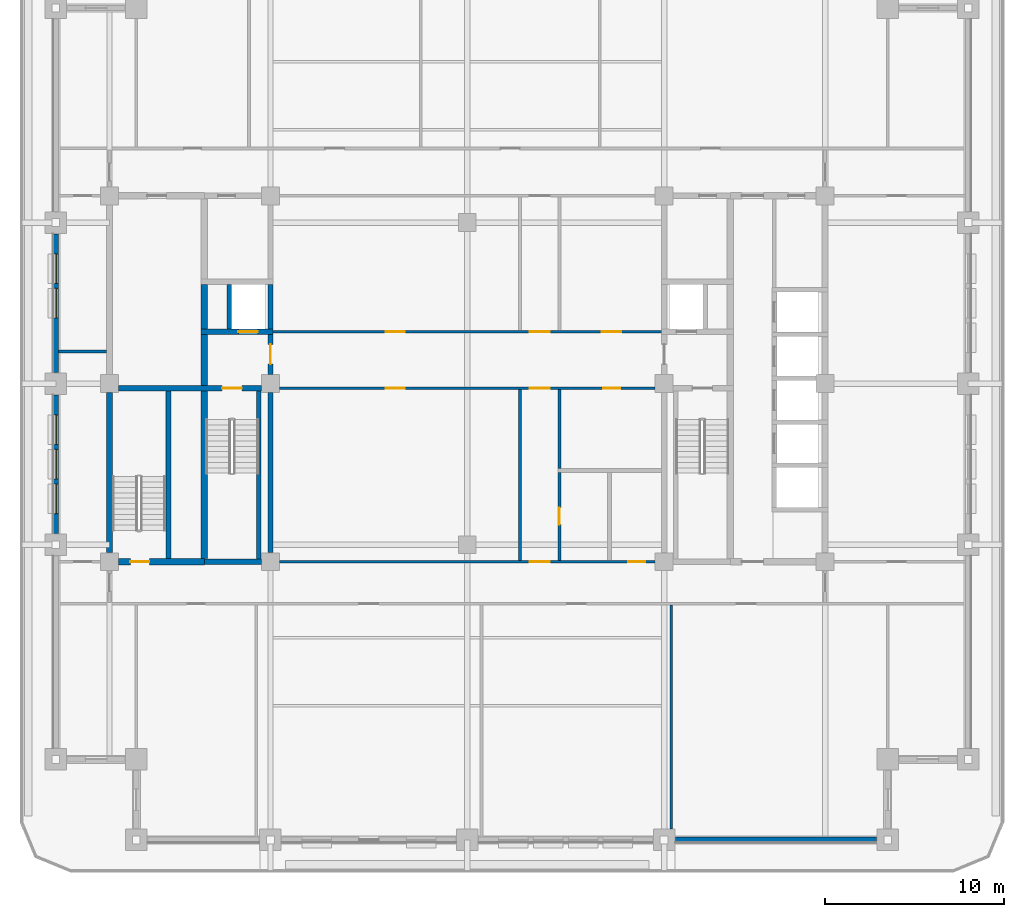
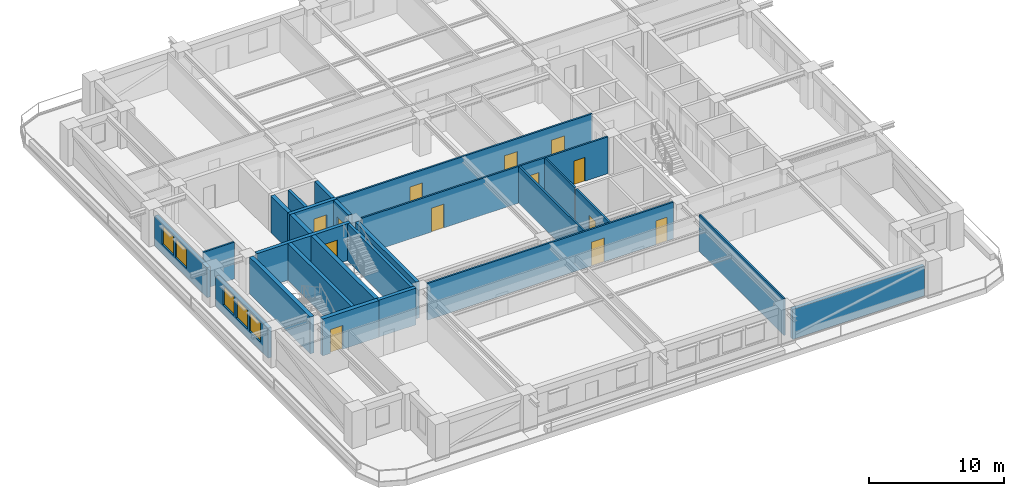
# One storey, part 3 of 13: 25 walls, 13 doors, 5 windows, 18 openings.
"""IFC4 building model written with IfcOpenShell, lengths in metres."""

from ifc_helpers import new_model, si_unit, direction, frame, frame_2d, origin, place, context, subcontext, project, spatial, rectangle, extrude, material, layer, layer_set, type_object, element, fill, save


model = new_model("IFC4")

# Units and contexts
model_context = context("Model", 3, precision=1e-05, world=origin(), true_north=direction((0.0, 1.0)))
body_context = subcontext(model_context, "Body", "Model", "MODEL_VIEW")
ifc_project = project(units=[si_unit("LENGTHUNIT", "METRE"), si_unit("AREAUNIT", "SQUARE_METRE"), si_unit("VOLUMEUNIT", "CUBIC_METRE"), si_unit("PLANEANGLEUNIT", "RADIAN"), si_unit("MASSUNIT", "GRAM", prefix="KILO")], contexts=[model_context])

# Site, building, storey
site_placement = place(None, origin())
site = spatial("IfcSite", under=ifc_project, at=site_placement, CompositionType="ELEMENT")
building_placement = place(site_placement, origin())
building = spatial("IfcBuilding", under=site, at=building_placement, Name="Zulmaris Gate Convention Tower", CompositionType="ELEMENT")
storey_placement = place(building_placement, frame((0.0, 0.0, 105.639892578125)))
storey = spatial("IfcBuildingStorey", under=building, at=storey_placement, Name="L26", CompositionType="ELEMENT", Elevation=105.639892578125)

# Walls
ifc_material_1 = material(Name="Concrete C50/60", Category="concrete")
ifc_layer_1 = layer(ifc_material_1, 0.25, Name="Concrete C50/60")
ifc_layer_set_1 = layer_set([ifc_layer_1], Name="Concrete C50/60")
wall_type_1 = type_object("IfcWallType", Name="CORE-250", PredefinedType="SOLIDWALL", material=ifc_layer_set_1)
wall_1_placement = place(storey_placement, frame((-13.300048828125, 3.052001953125, 0.0), z_axis=(0.0, 0.0, 1.0), x_axis=(0.0, 1.0, 0.0)))
element("IfcWall", 1, at=wall_1_placement, inside=storey, type_object=wall_type_1, Name="WL-L26-040", PredefinedType="SOLIDWALL", context=body_context, shape_type="SweptSolid", body=[
    extrude(rectangle(XDim=2.49609375, YDim=0.25, at=frame_2d((1.248046875, 0.0))), origin(), (0.0, 0.0, 1.0), 3.320068359375),
])
wall_2_placement = place(storey_placement, frame((-11.64990234375, -9.798095703125, 0.0), z_axis=(0.0, 0.0, 1.0), x_axis=(0.0, 1.0, 0.0)))
element("IfcWall", 2, at=wall_2_placement, inside=storey, type_object=wall_type_1, Name="WL-L26-041", PredefinedType="SOLIDWALL", context=body_context, shape_type="SweptSolid", body=[
    extrude(rectangle(XDim=9.39599609375, YDim=0.25, at=frame_2d((4.697998046875, 0.0))), origin(), (0.0, 0.0, 1.0), 3.320068359375),
])
ifc_layer_2 = layer(ifc_material_1, 0.300048828125, Name="Concrete C50/60")
ifc_layer_set_2 = layer_set([ifc_layer_2], Name="Concrete C50/60")
wall_type_2 = type_object("IfcWallType", Name="CORE-300", PredefinedType="SHEAR", material=ifc_layer_set_2)
wall_3_placement = place(storey_placement, frame((-14.699951171875, -9.949951171875, 0.0), z_axis=(0.0, 0.0, 1.0), x_axis=(1.0, 0.0, 0.0)))
element("IfcWall", 3, at=wall_3_placement, inside=storey, type_object=wall_type_2, Name="WL-L26-002", PredefinedType="SHEAR", context=body_context, shape_type="SweptSolid", body=[
    extrude(rectangle(XDim=3.196044921875, YDim=0.300048828125, at=frame_2d((1.59814453125, 0.0))), origin(), (0.0, 0.0, 1.0), 3.320068359375),
])

# Wall, opening, door
wall_4_placement = place(storey_placement, frame((-19.49609375, -0.25, 0.0), z_axis=(0.0, 0.0, 1.0), x_axis=(1.0, 0.0, 0.0)))
wall_4 = element("IfcWall", 4, at=wall_4_placement, inside=storey, type_object=wall_type_2, Name="WL-L26-008", PredefinedType="SHEAR", context=body_context, shape_type="SweptSolid", body=[
    extrude(rectangle(XDim=7.9921875, YDim=0.300048828125, at=frame_2d((3.99609375, 0.0))), origin(), (0.0, 0.0, 1.0), 3.320068359375),
])
opening_1_placement = place(wall_4_placement, frame((5.7958984375, 0.0, 0.0)))
opening_1 = element("IfcOpeningElement", 5, at=opening_1_placement, cuts=wall_4, Name="Opening D-08", PredefinedType="OPENING", context=body_context, shape_type="SweptSolid", body=[
    extrude(rectangle(XDim=1.10009765625, YDim=2.14990234375, at=frame_2d((0.550048828125, 1.074951171875))), frame((0.0, 0.16015625, 0.0), z_axis=(0.0, -1.0, 0.0), x_axis=(1.0, 0.0, 0.0)), (0.0, 0.0, 1.0), 0.320068359375),
])
ifc_material_2 = material(Name="Fire-Rated Steel", Category="steel")
door_type_1 = type_object("IfcDoorType", Name="DR-1100-FD", OperationType="NOTDEFINED", PredefinedType="DOOR", material=ifc_material_2)
door_1_placement = place(opening_1_placement, origin())
door_1 = element("IfcDoor", 6, at=door_1_placement, inside=storey, type_object=door_type_1, Name="L26 Exit Stair ST-1 Door 01", OperationType="SINGLE_SWING_RIGHT", OverallHeight=2.14990234375, OverallWidth=1.10009765625, PredefinedType="DOOR", context=body_context, shape_type="SweptSolid", body=[
    extrude(rectangle(XDim=1.10009765625, YDim=2.14990234375, at=frame_2d((0.550048828125, 1.074951171875))), frame((0.0, 0.02490234375, 0.0), z_axis=(0.0, -1.0, 0.0), x_axis=(1.0, 0.0, 0.0)), (0.0, 0.0, 1.0), 0.050048828125),
])
fill(opening_1, door_1)

wall_5_placement = place(storey_placement, frame((-14.875, 2.89990234375, 0.0), z_axis=(0.0, 0.0, 1.0), x_axis=(1.0, 0.0, 0.0)))
wall_5 = element("IfcWall", 7, at=wall_5_placement, inside=storey, type_object=wall_type_2, Name="WL-L26-012", PredefinedType="SHEAR", context=body_context, shape_type="SweptSolid", body=[
    extrude(rectangle(XDim=4.02490234375, YDim=0.300048828125, at=frame_2d((2.012451171875, 0.0))), origin(), (0.0, 0.0, 1.0), 3.320068359375),
])
opening_2_placement = place(wall_5_placement, frame((2.074951171875, 0.0, 0.0)))
opening_2 = element("IfcOpeningElement", 8, at=opening_2_placement, cuts=wall_5, Name="Opening D-06", PredefinedType="OPENING", context=body_context, shape_type="SweptSolid", body=[
    extrude(rectangle(XDim=1.10009765625, YDim=2.199951171875, at=frame_2d((0.550048828125, 1.10009765625))), frame((0.0, 0.16015625, 0.0), z_axis=(0.0, -1.0, 0.0), x_axis=(1.0, 0.0, 0.0)), (0.0, 0.0, 1.0), 0.320068359375),
])
ifc_material_3 = material(Name="Brushed Stainless Steel", Category="steel")
door_type_2 = type_object("IfcDoorType", Name="LD-1100", OperationType="NOTDEFINED", PredefinedType="DOOR", material=ifc_material_3)
door_2_placement = place(opening_2_placement, origin())
door_2 = element("IfcDoor", 9, at=door_2_placement, inside=storey, type_object=door_type_2, Name="L26 Lift Landing Door LF-01 03", OperationType="SLIDING_TO_LEFT", OverallHeight=2.199951171875, OverallWidth=1.10009765625, PredefinedType="DOOR", context=body_context, shape_type="SweptSolid", body=[
    extrude(rectangle(XDim=1.10009765625, YDim=2.199951171875, at=frame_2d((0.550048828125, 1.10009765625))), frame((0.0, 0.02490234375, 0.0), z_axis=(0.0, -1.0, 0.0), x_axis=(1.0, 0.0, 0.0)), (0.0, 0.0, 1.0), 0.050048828125),
])
fill(opening_2, door_2)

# Walls
wall_6_placement = place(storey_placement, frame((-16.699951171875, -9.77294921875, 0.0), z_axis=(0.0, 0.0, 1.0), x_axis=(0.0, 1.0, 0.0)))
element("IfcWall", 10, at=wall_6_placement, inside=storey, type_object=wall_type_2, Name="WL-L26-035", PredefinedType="SHEAR", context=body_context, shape_type="SweptSolid", body=[
    extrude(rectangle(XDim=9.370849609375, YDim=0.300048828125, at=frame_2d((4.685546875, 0.0))), origin(), (0.0, 0.0, 1.0), 3.320068359375),
])
wall_7_placement = place(storey_placement, frame((-11.0, -9.446044921875, 0.0), z_axis=(0.0, 0.0, 1.0), x_axis=(0.0, 1.0, 0.0)))
element("IfcWall", 11, at=wall_7_placement, inside=storey, type_object=wall_type_2, Name="WL-L26-042", PredefinedType="SHEAR", context=body_context, shape_type="SweptSolid", body=[
    extrude(rectangle(XDim=8.942138671875, YDim=0.300048828125, at=frame_2d((4.47119140625, 0.0))), origin(), (0.0, 0.0, 1.0), 3.320068359375),
])

# Wall, opening, door
wall_8_placement = place(storey_placement, frame((-11.0, 0.50390625, 0.0), z_axis=(0.0, 0.0, 1.0), x_axis=(0.0, 1.0, 0.0)))
wall_8 = element("IfcWall", 12, at=wall_8_placement, inside=storey, type_object=wall_type_2, Name="WL-L26-043", PredefinedType="SHEAR", context=body_context, shape_type="SweptSolid", body=[
    extrude(rectangle(XDim=2.244140625, YDim=0.300048828125, at=frame_2d((1.1220703125, 0.0))), origin(), (0.0, 0.0, 1.0), 3.320068359375),
])
opening_3_placement = place(wall_8_placement, frame((0.595947265625, 0.0, 0.0)))
opening_3 = element("IfcOpeningElement", 13, at=opening_3_placement, cuts=wall_8, Name="Opening D-08", PredefinedType="OPENING", context=body_context, shape_type="SweptSolid", body=[
    extrude(rectangle(XDim=1.10009765625, YDim=2.14990234375, at=frame_2d((0.550048828125, 1.074951171875))), frame((0.0, 0.16015625, 0.0), z_axis=(0.0, -1.0, 0.0), x_axis=(1.0, 0.0, 0.0)), (0.0, 0.0, 1.0), 0.320068359375),
])
door_3_placement = place(opening_3_placement, origin())
door_3 = element("IfcDoor", 14, at=door_3_placement, inside=storey, type_object=door_type_1, Name="L26 West Firefighting Lobby Door 02", OperationType="SINGLE_SWING_LEFT", OverallHeight=2.14990234375, OverallWidth=1.10009765625, PredefinedType="DOOR", context=body_context, shape_type="SweptSolid", body=[
    extrude(rectangle(XDim=1.10009765625, YDim=2.14990234375, at=frame_2d((0.550048828125, 1.074951171875))), frame((0.0, 0.02490234375, 0.0), z_axis=(0.0, -1.0, 0.0), x_axis=(1.0, 0.0, 0.0)), (0.0, 0.0, 1.0), 0.050048828125),
])
fill(opening_3, door_3)

# Wall
wall_9_placement = place(storey_placement, frame((-11.0, 3.052001953125, 0.0), z_axis=(0.0, 0.0, 1.0), x_axis=(0.0, 1.0, 0.0)))
element("IfcWall", 15, at=wall_9_placement, inside=storey, type_object=wall_type_2, Name="WL-L26-044", PredefinedType="SHEAR", context=body_context, shape_type="SweptSolid", body=[
    extrude(rectangle(XDim=2.49609375, YDim=0.300048828125, at=frame_2d((1.248046875, 0.0))), origin(), (0.0, 0.0, 1.0), 3.320068359375),
])

# Wall, opening, door
ifc_material_4 = material(Name="Concrete C55/67", Category="concrete")
ifc_layer_3 = layer(ifc_material_4, 0.35009765625, Name="Concrete C55/67")
ifc_layer_set_3 = layer_set([ifc_layer_3], Name="Concrete C55/67")
wall_type_3 = type_object("IfcWallType", Name="CORE-350", PredefinedType="SHEAR", material=ifc_layer_set_3)
wall_10_placement = place(storey_placement, frame((-19.49609375, -9.949951171875, 0.0), z_axis=(0.0, 0.0, 1.0), x_axis=(1.0, 0.0, 0.0)))
wall_10 = element("IfcWall", 16, at=wall_10_placement, inside=storey, type_object=wall_type_3, Name="WL-L26-001", PredefinedType="SHEAR", context=body_context, shape_type="SweptSolid", body=[
    extrude(rectangle(XDim=4.796142578125, YDim=0.35009765625, at=frame_2d((2.39794921875, 0.0))), origin(), (0.0, 0.0, 1.0), 3.320068359375),
])
opening_4_placement = place(wall_10_placement, frame((0.6708984375, 0.0, 0.0)))
opening_4 = element("IfcOpeningElement", 17, at=opening_4_placement, cuts=wall_10, Name="Opening D-09", PredefinedType="OPENING", context=body_context, shape_type="SweptSolid", body=[
    extrude(rectangle(XDim=1.050048828125, YDim=2.14990234375, at=frame_2d((0.52490234375, 1.074951171875))), frame((0.0, 0.18505859375, 0.0), z_axis=(0.0, -1.0, 0.0), x_axis=(1.0, 0.0, 0.0)), (0.0, 0.0, 1.0), 0.3701171875),
])
door_type_3 = type_object("IfcDoorType", Name="DR-1050-FD", OperationType="NOTDEFINED", PredefinedType="DOOR", material=ifc_material_2)
door_4_placement = place(opening_4_placement, origin())
door_4 = element("IfcDoor", 18, at=door_4_placement, inside=storey, type_object=door_type_3, Name="L26 Exit Stair ST-3 Door 09", OperationType="SINGLE_SWING_RIGHT", OverallHeight=2.14990234375, OverallWidth=1.050048828125, PredefinedType="DOOR", context=body_context, shape_type="SweptSolid", body=[
    extrude(rectangle(XDim=1.050048828125, YDim=2.14990234375, at=frame_2d((0.52490234375, 1.074951171875))), frame((0.0, 0.02490234375, 0.0), z_axis=(0.0, -1.0, 0.0), x_axis=(1.0, 0.0, 0.0)), (0.0, 0.0, 1.0), 0.050048828125),
])
fill(opening_4, door_4)

# Walls
wall_11_placement = place(storey_placement, frame((-20.0, -9.446044921875, 0.0), z_axis=(0.0, 0.0, 1.0), x_axis=(0.0, 1.0, 0.0)))
element("IfcWall", 19, at=wall_11_placement, inside=storey, type_object=wall_type_3, Name="WL-L26-033", PredefinedType="SHEAR", context=body_context, shape_type="SweptSolid", body=[
    extrude(rectangle(XDim=8.942138671875, YDim=0.35009765625, at=frame_2d((4.47119140625, 0.0))), origin(), (0.0, 0.0, 1.0), 3.320068359375),
])
wall_12_placement = place(storey_placement, frame((-14.699951171875, -9.77294921875, 0.0), z_axis=(0.0, 0.0, 1.0), x_axis=(0.0, 1.0, 0.0)))
element("IfcWall", 20, at=wall_12_placement, inside=storey, type_object=wall_type_3, Name="WL-L26-036", PredefinedType="SHEAR", context=body_context, shape_type="SweptSolid", body=[
    extrude(rectangle(XDim=9.370849609375, YDim=0.35009765625, at=frame_2d((4.685546875, 0.0))), origin(), (0.0, 0.0, 1.0), 3.320068359375),
])
wall_13_placement = place(storey_placement, frame((-14.699951171875, -0.097900390625, 0.0), z_axis=(0.0, 0.0, 1.0), x_axis=(0.0, 1.0, 0.0)))
element("IfcWall", 21, at=wall_13_placement, inside=storey, type_object=wall_type_3, Name="WL-L26-037", PredefinedType="SHEAR", context=body_context, shape_type="SweptSolid", body=[
    extrude(rectangle(XDim=2.845947265625, YDim=0.35009765625, at=frame_2d((1.4228515625, 0.0))), origin(), (0.0, 0.0, 1.0), 3.320068359375),
])
wall_14_placement = place(storey_placement, frame((-14.699951171875, 3.052001953125, 0.0), z_axis=(0.0, 0.0, 1.0), x_axis=(0.0, 1.0, 0.0)))
element("IfcWall", 22, at=wall_14_placement, inside=storey, type_object=wall_type_3, Name="WL-L26-038", PredefinedType="SHEAR", context=body_context, shape_type="SweptSolid", body=[
    extrude(rectangle(XDim=2.49609375, YDim=0.35009765625, at=frame_2d((1.248046875, 0.0))), origin(), (0.0, 0.0, 1.0), 3.320068359375),
])

# Wall, openings, doors
ifc_material_5 = material(Name="Gypsum Metal Stud Partition")
ifc_layer_4 = layer(ifc_material_5, 0.14990234375, Name="Gypsum Metal Stud Partition")
ifc_layer_set_4 = layer_set([ifc_layer_4], Name="Gypsum Metal Stud Partition")
wall_type_4 = type_object("IfcWallType", Name="PART-150", PredefinedType="PARTITIONING", material=ifc_layer_set_4)
wall_15_placement = place(storey_placement, frame((-10.493896484375, -9.949951171875, 0.0), z_axis=(0.0, 0.0, 1.0), x_axis=(1.0, 0.0, 0.0)))
wall_15 = element("IfcWall", 23, at=wall_15_placement, inside=storey, type_object=wall_type_4, Name="WL-L26-023", PredefinedType="PARTITIONING", context=body_context, shape_type="SweptSolid", body=[
    extrude(rectangle(XDim=20.98779296875, YDim=0.14990234375, at=frame_2d((10.493896484375, 0.0))), origin(), (0.0, 0.0, 1.0), 3.320068359375),
])
opening_5_placement = place(wall_15_placement, frame((13.993896484375, 0.0, 0.0)))
opening_5 = element("IfcOpeningElement", 24, at=opening_5_placement, cuts=wall_15, Name="Opening D-08", PredefinedType="OPENING", context=body_context, shape_type="SweptSolid", body=[
    extrude(rectangle(XDim=1.10009765625, YDim=2.14990234375, at=frame_2d((0.550048828125, 1.074951171875))), frame((0.0, 0.0849609375, 0.0), z_axis=(0.0, -1.0, 0.0), x_axis=(1.0, 0.0, 0.0)), (0.0, 0.0, 1.0), 0.169921875),
])
opening_6_placement = place(wall_15_placement, frame((19.489013671875, 0.0, 0.0)))
opening_6 = element("IfcOpeningElement", 25, at=opening_6_placement, cuts=wall_15, Name="Opening D-11", PredefinedType="OPENING", context=body_context, shape_type="SweptSolid", body=[
    extrude(rectangle(XDim=0.949951171875, YDim=2.14990234375, at=frame_2d((0.47509765625, 1.074951171875))), frame((0.0, 0.0849609375, 0.0), z_axis=(0.0, -1.0, 0.0), x_axis=(1.0, 0.0, 0.0)), (0.0, 0.0, 1.0), 0.169921875),
])
door_5_placement = place(opening_5_placement, origin())
door_5 = element("IfcDoor", 26, at=door_5_placement, inside=storey, type_object=door_type_1, Name="L26 South Gallery Link Door 19", OperationType="SINGLE_SWING_RIGHT", OverallHeight=2.14990234375, OverallWidth=1.10009765625, PredefinedType="DOOR", context=body_context, shape_type="SweptSolid", body=[
    extrude(rectangle(XDim=1.10009765625, YDim=2.14990234375, at=frame_2d((0.550048828125, 1.074951171875))), frame((0.0, 0.02490234375, 0.0), z_axis=(0.0, -1.0, 0.0), x_axis=(1.0, 0.0, 0.0)), (0.0, 0.0, 1.0), 0.050048828125),
])
fill(opening_5, door_5)
ifc_material_6 = material(Name="Fire-Rated Timber", Category="wood")
door_type_4 = type_object("IfcDoorType", Name="DR-950-FD", OperationType="NOTDEFINED", PredefinedType="DOOR", material=ifc_material_6)
door_6_placement = place(opening_6_placement, origin())
door_6 = element("IfcDoor", 27, at=door_6_placement, inside=storey, type_object=door_type_4, Name="L26 Vault Store Door 35", OperationType="SINGLE_SWING_RIGHT", OverallHeight=2.14990234375, OverallWidth=0.949951171875, PredefinedType="DOOR", context=body_context, shape_type="SweptSolid", body=[
    extrude(rectangle(XDim=0.949951171875, YDim=2.14990234375, at=frame_2d((0.47509765625, 1.074951171875))), frame((0.0, 0.02490234375, 0.0), z_axis=(0.0, -1.0, 0.0), x_axis=(1.0, 0.0, 0.0)), (0.0, 0.0, 1.0), 0.050048828125),
])
fill(opening_6, door_6)

wall_16_placement = place(storey_placement, frame((-10.493896484375, -0.25, 0.0), z_axis=(0.0, 0.0, 1.0), x_axis=(1.0, 0.0, 0.0)))
wall_16 = element("IfcWall", 28, at=wall_16_placement, inside=storey, type_object=wall_type_4, Name="WL-L26-026", PredefinedType="PARTITIONING", context=body_context, shape_type="SweptSolid", body=[
    extrude(rectangle(XDim=20.98779296875, YDim=0.14990234375, at=frame_2d((10.493896484375, 0.0))), origin(), (0.0, 0.0, 1.0), 3.320068359375),
])
opening_7_placement = place(wall_16_placement, frame((13.993896484375, 0.0, 0.0)))
opening_7 = element("IfcOpeningElement", 29, at=opening_7_placement, cuts=wall_16, Name="Opening D-08", PredefinedType="OPENING", context=body_context, shape_type="SweptSolid", body=[
    extrude(rectangle(XDim=1.10009765625, YDim=2.14990234375, at=frame_2d((0.550048828125, 1.074951171875))), frame((0.0, 0.0849609375, 0.0), z_axis=(0.0, -1.0, 0.0), x_axis=(1.0, 0.0, 0.0)), (0.0, 0.0, 1.0), 0.169921875),
])
opening_8_placement = place(wall_16_placement, frame((5.93896484375, 0.0, 0.0)))
opening_8 = element("IfcOpeningElement", 30, at=opening_8_placement, cuts=wall_16, Name="Opening D-09", PredefinedType="OPENING", context=body_context, shape_type="SweptSolid", body=[
    extrude(rectangle(XDim=1.050048828125, YDim=2.14990234375, at=frame_2d((0.52490234375, 1.074951171875))), frame((0.0, 0.0849609375, 0.0), z_axis=(0.0, -1.0, 0.0), x_axis=(1.0, 0.0, 0.0)), (0.0, 0.0, 1.0), 0.169921875),
])
opening_9_placement = place(wall_16_placement, frame((18.089111328125, 0.0, 0.0)))
opening_9 = element("IfcOpeningElement", 31, at=opening_9_placement, cuts=wall_16, Name="Opening D-11", PredefinedType="OPENING", context=body_context, shape_type="SweptSolid", body=[
    extrude(rectangle(XDim=0.949951171875, YDim=2.14990234375, at=frame_2d((0.47509765625, 1.074951171875))), frame((0.0, 0.0849609375, 0.0), z_axis=(0.0, -1.0, 0.0), x_axis=(1.0, 0.0, 0.0)), (0.0, 0.0, 1.0), 0.169921875),
])
door_7_placement = place(opening_8_placement, origin())
door_7 = element("IfcDoor", 32, at=door_7_placement, inside=storey, type_object=door_type_3, Name="L26 Sky Library Door 32", OperationType="SINGLE_SWING_LEFT", OverallHeight=2.14990234375, OverallWidth=1.050048828125, PredefinedType="DOOR", context=body_context, shape_type="SweptSolid", body=[
    extrude(rectangle(XDim=1.050048828125, YDim=2.14990234375, at=frame_2d((0.52490234375, 1.074951171875))), frame((0.0, 0.02490234375, 0.0), z_axis=(0.0, -1.0, 0.0), x_axis=(1.0, 0.0, 0.0)), (0.0, 0.0, 1.0), 0.050048828125),
])
fill(opening_8, door_7)
door_8_placement = place(opening_7_placement, origin())
door_8 = element("IfcDoor", 33, at=door_8_placement, inside=storey, type_object=door_type_1, Name="L26 Cross Spine South Door 21", OperationType="SINGLE_SWING_RIGHT", OverallHeight=2.14990234375, OverallWidth=1.10009765625, PredefinedType="DOOR", context=body_context, shape_type="SweptSolid", body=[
    extrude(rectangle(XDim=1.10009765625, YDim=2.14990234375, at=frame_2d((0.550048828125, 1.074951171875))), frame((0.0, 0.02490234375, 0.0), z_axis=(0.0, -1.0, 0.0), x_axis=(1.0, 0.0, 0.0)), (0.0, 0.0, 1.0), 0.050048828125),
])
fill(opening_7, door_8)
door_9_placement = place(opening_9_placement, origin())
door_9 = element("IfcDoor", 34, at=door_9_placement, inside=storey, type_object=door_type_4, Name="L26 Public WC Door 33", OperationType="SINGLE_SWING_RIGHT", OverallHeight=2.14990234375, OverallWidth=0.949951171875, PredefinedType="DOOR", context=body_context, shape_type="SweptSolid", body=[
    extrude(rectangle(XDim=0.949951171875, YDim=2.14990234375, at=frame_2d((0.47509765625, 1.074951171875))), frame((0.0, 0.02490234375, 0.0), z_axis=(0.0, -1.0, 0.0), x_axis=(1.0, 0.0, 0.0)), (0.0, 0.0, 1.0), 0.050048828125),
])
fill(opening_9, door_9)

# Wall
wall_17_placement = place(storey_placement, frame((-22.8349609375, 1.800048828125, 0.0), z_axis=(0.0, 0.0, 1.0), x_axis=(1.0, 0.0, 0.0)))
element("IfcWall", 35, at=wall_17_placement, inside=storey, type_object=wall_type_4, Name="WL-L26-027", PredefinedType="PARTITIONING", context=body_context, shape_type="SweptSolid", body=[
    extrude(rectangle(XDim=2.656982421875, YDim=0.14990234375, at=frame_2d((1.32861328125, 0.0))), origin(), (0.0, 0.0, 1.0), 3.320068359375),
])

# Wall, openings, doors
wall_18_placement = place(storey_placement, frame((-11.0, 2.89990234375, 0.0), z_axis=(0.0, 0.0, 1.0), x_axis=(1.0, 0.0, 0.0)))
wall_18 = element("IfcWall", 36, at=wall_18_placement, inside=storey, type_object=wall_type_4, Name="WL-L26-028", PredefinedType="PARTITIONING", context=body_context, shape_type="SweptSolid", body=[
    extrude(rectangle(XDim=22.0, YDim=0.14990234375, at=frame_2d((11.0, 0.0))), origin(), (0.0, 0.0, 1.0), 3.320068359375),
])
opening_10_placement = place(wall_18_placement, frame((14.5, 0.0, 0.0)))
opening_10 = element("IfcOpeningElement", 37, at=opening_10_placement, cuts=wall_18, Name="Opening D-08", PredefinedType="OPENING", context=body_context, shape_type="SweptSolid", body=[
    extrude(rectangle(XDim=1.10009765625, YDim=2.14990234375, at=frame_2d((0.550048828125, 1.074951171875))), frame((0.0, 0.0849609375, 0.0), z_axis=(0.0, -1.0, 0.0), x_axis=(1.0, 0.0, 0.0)), (0.0, 0.0, 1.0), 0.169921875),
])
opening_11_placement = place(wall_18_placement, frame((6.445068359375, 0.0, 0.0)))
opening_11 = element("IfcOpeningElement", 38, at=opening_11_placement, cuts=wall_18, Name="Opening D-09", PredefinedType="OPENING", context=body_context, shape_type="SweptSolid", body=[
    extrude(rectangle(XDim=1.050048828125, YDim=2.14990234375, at=frame_2d((0.52490234375, 1.074951171875))), frame((0.0, 0.0849609375, 0.0), z_axis=(0.0, -1.0, 0.0), x_axis=(1.0, 0.0, 0.0)), (0.0, 0.0, 1.0), 0.169921875),
])
opening_12_placement = place(wall_18_placement, frame((18.52001953125, 0.0, 0.0)))
opening_12 = element("IfcOpeningElement", 39, at=opening_12_placement, cuts=wall_18, Name="Opening D-08", PredefinedType="OPENING", context=body_context, shape_type="SweptSolid", body=[
    extrude(rectangle(XDim=1.10009765625, YDim=2.14990234375, at=frame_2d((0.550048828125, 1.074951171875))), frame((0.0, 0.0849609375, 0.0), z_axis=(0.0, -1.0, 0.0), x_axis=(1.0, 0.0, 0.0)), (0.0, 0.0, 1.0), 0.169921875),
])
door_10_placement = place(opening_11_placement, origin())
door_10 = element("IfcDoor", 40, at=door_10_placement, inside=storey, type_object=door_type_3, Name="L26 Reception Door 30", OperationType="SINGLE_SWING_LEFT", OverallHeight=2.14990234375, OverallWidth=1.050048828125, PredefinedType="DOOR", context=body_context, shape_type="SweptSolid", body=[
    extrude(rectangle(XDim=1.050048828125, YDim=2.14990234375, at=frame_2d((0.52490234375, 1.074951171875))), frame((0.0, 0.02490234375, 0.0), z_axis=(0.0, -1.0, 0.0), x_axis=(1.0, 0.0, 0.0)), (0.0, 0.0, 1.0), 0.050048828125),
])
fill(opening_11, door_10)
door_11_placement = place(opening_10_placement, origin())
door_11 = element("IfcDoor", 41, at=door_11_placement, inside=storey, type_object=door_type_1, Name="L26 Cross Spine North Door 20", OperationType="SINGLE_SWING_LEFT", OverallHeight=2.14990234375, OverallWidth=1.10009765625, PredefinedType="DOOR", context=body_context, shape_type="SweptSolid", body=[
    extrude(rectangle(XDim=1.10009765625, YDim=2.14990234375, at=frame_2d((0.550048828125, 1.074951171875))), frame((0.0, 0.02490234375, 0.0), z_axis=(0.0, -1.0, 0.0), x_axis=(1.0, 0.0, 0.0)), (0.0, 0.0, 1.0), 0.050048828125),
])
fill(opening_10, door_11)
door_12_placement = place(opening_12_placement, origin())
door_12 = element("IfcDoor", 42, at=door_12_placement, inside=storey, type_object=door_type_1, Name="L26 Townhall Forum Door 31", OperationType="SINGLE_SWING_RIGHT", OverallHeight=2.14990234375, OverallWidth=1.10009765625, PredefinedType="DOOR", context=body_context, shape_type="SweptSolid", body=[
    extrude(rectangle(XDim=1.10009765625, YDim=2.14990234375, at=frame_2d((0.550048828125, 1.074951171875))), frame((0.0, 0.02490234375, 0.0), z_axis=(0.0, -1.0, 0.0), x_axis=(1.0, 0.0, 0.0)), (0.0, 0.0, 1.0), 0.050048828125),
])
fill(opening_12, door_12)

# Wall
wall_19_placement = place(storey_placement, frame((2.949951171875, -9.8720703125, 0.0), z_axis=(0.0, 0.0, 1.0), x_axis=(0.0, 1.0, 0.0)))
element("IfcWall", 43, at=wall_19_placement, inside=storey, type_object=wall_type_4, Name="WL-L26-076", PredefinedType="PARTITIONING", context=body_context, shape_type="SweptSolid", body=[
    extrude(rectangle(XDim=9.544189453125, YDim=0.14990234375, at=frame_2d((4.77197265625, 0.0))), origin(), (0.0, 0.0, 1.0), 3.320068359375),
])

# Wall, opening, door
wall_20_placement = place(storey_placement, frame((5.14990234375, -9.8720703125, 0.0), z_axis=(0.0, 0.0, 1.0), x_axis=(0.0, 1.0, 0.0)))
wall_20 = element("IfcWall", 44, at=wall_20_placement, inside=storey, type_object=wall_type_4, Name="WL-L26-078", PredefinedType="PARTITIONING", context=body_context, shape_type="SweptSolid", body=[
    extrude(rectangle(XDim=4.919189453125, YDim=0.14990234375, at=frame_2d((2.45947265625, 0.0))), origin(), (0.0, 0.0, 1.0), 3.320068359375),
])
opening_13_placement = place(wall_20_placement, frame((1.9970703125, 0.0, 0.0)))
opening_13 = element("IfcOpeningElement", 45, at=opening_13_placement, cuts=wall_20, Name="Opening D-11", PredefinedType="OPENING", context=body_context, shape_type="SweptSolid", body=[
    extrude(rectangle(XDim=0.949951171875, YDim=2.14990234375, at=frame_2d((0.47509765625, 1.074951171875))), frame((0.0, 0.0849609375, 0.0), z_axis=(0.0, -1.0, 0.0), x_axis=(1.0, 0.0, 0.0)), (0.0, 0.0, 1.0), 0.169921875),
])
door_13_placement = place(opening_13_placement, origin())
door_13 = element("IfcDoor", 46, at=door_13_placement, inside=storey, type_object=door_type_4, Name="L26 Accessible WC Door 34", OperationType="SINGLE_SWING_LEFT", OverallHeight=2.14990234375, OverallWidth=0.949951171875, PredefinedType="DOOR", context=body_context, shape_type="SweptSolid", body=[
    extrude(rectangle(XDim=0.949951171875, YDim=2.14990234375, at=frame_2d((0.47509765625, 1.074951171875))), frame((0.0, 0.02490234375, 0.0), z_axis=(0.0, -1.0, 0.0), x_axis=(1.0, 0.0, 0.0)), (0.0, 0.0, 1.0), 0.050048828125),
])
fill(opening_13, door_13)

# Walls
wall_21_placement = place(storey_placement, frame((5.14990234375, -4.7470703125, 0.0), z_axis=(0.0, 0.0, 1.0), x_axis=(0.0, 1.0, 0.0)))
element("IfcWall", 47, at=wall_21_placement, inside=storey, type_object=wall_type_4, Name="WL-L26-079", PredefinedType="PARTITIONING", context=body_context, shape_type="SweptSolid", body=[
    extrude(rectangle(XDim=4.419189453125, YDim=0.14990234375, at=frame_2d((2.20947265625, 0.0))), origin(), (0.0, 0.0, 1.0), 3.320068359375),
])
wall_22_placement = place(storey_placement, frame((11.39990234375, -24.89404296875, 0.0), z_axis=(0.0, 0.0, 1.0), x_axis=(0.0, 1.0, 0.0)))
element("IfcWall", 48, at=wall_22_placement, inside=storey, type_object=wall_type_4, Name="WL-L26-083", PredefinedType="PARTITIONING", context=body_context, shape_type="SweptSolid", body=[
    extrude(rectangle(XDim=12.51611328125, YDim=0.14990234375, at=frame_2d((6.258056640625, 0.0))), origin(), (0.0, 0.0, 1.0), 3.320068359375),
])
ifc_material_7 = material(Name="Precast concrete C40/50", Category="concrete")
ifc_layer_5 = layer(ifc_material_7, 0.300048828125, Name="Precast concrete C40/50")
ifc_layer_set_5 = layer_set([ifc_layer_5], Name="Precast concrete C40/50")
wall_type_5 = type_object("IfcWallType", Name="PRECAST-PIER-300", PredefinedType="STANDARD", material=ifc_layer_set_5)
wall_23_placement = place(storey_placement, frame((11.6298828125, -25.5, 0.0), z_axis=(0.0, 0.0, 1.0), x_axis=(1.0, 0.0, 0.0)))
element("IfcWall", 49, at=wall_23_placement, inside=storey, type_object=wall_type_5, Name="EW-L26-S-3_0", PredefinedType="STANDARD", context=body_context, shape_type="SweptSolid", body=[
    extrude(rectangle(XDim=11.240234375, YDim=0.300048828125, at=frame_2d((5.6201171875, 0.0))), origin(), (0.0, 0.0, 1.0), 2.712158203125),
])

# Wall, openings, windows
wall_24_placement = place(storey_placement, frame((-23.0, -0.6298828125, 0.0), z_axis=(0.0, 0.0, 1.0), x_axis=(0.0, -1.0, 0.0)))
wall_24 = element("IfcWall", 50, at=wall_24_placement, inside=storey, type_object=wall_type_5, Name="EW-L26-W-1_0", PredefinedType="STANDARD", context=body_context, shape_type="SweptSolid", body=[
    extrude(rectangle(XDim=7.740234375, YDim=0.300048828125, at=frame_2d((3.8701171875, 0.0))), origin(), (0.0, 0.0, 1.0), 2.712158203125),
])
opening_14_placement = place(wall_24_placement, frame((1.110107421875, 0.0, 0.800048828125)))
opening_14 = element("IfcOpeningElement", 51, at=opening_14_placement, cuts=wall_24, Name="Opening W-08", PredefinedType="OPENING", context=body_context, shape_type="SweptSolid", body=[
    extrude(rectangle(XDim=1.64990234375, YDim=1.699951171875, at=frame_2d((0.824951171875, 0.85009765625))), frame((0.0, 0.16015625, 0.0), z_axis=(0.0, -1.0, 0.0), x_axis=(1.0, 0.0, 0.0)), (0.0, 0.0, 1.0), 0.320068359375),
])
opening_15_placement = place(wall_24_placement, frame((3.044921875, 0.0, 0.800048828125)))
opening_15 = element("IfcOpeningElement", 52, at=opening_15_placement, cuts=wall_24, Name="Opening W-08", PredefinedType="OPENING", context=body_context, shape_type="SweptSolid", body=[
    extrude(rectangle(XDim=1.64990234375, YDim=1.699951171875, at=frame_2d((0.824951171875, 0.85009765625))), frame((0.0, 0.16015625, 0.0), z_axis=(0.0, -1.0, 0.0), x_axis=(1.0, 0.0, 0.0)), (0.0, 0.0, 1.0), 0.320068359375),
])
opening_16_placement = place(wall_24_placement, frame((4.97998046875, 0.0, 0.800048828125)))
opening_16 = element("IfcOpeningElement", 53, at=opening_16_placement, cuts=wall_24, Name="Opening W-08", PredefinedType="OPENING", context=body_context, shape_type="SweptSolid", body=[
    extrude(rectangle(XDim=1.64990234375, YDim=1.699951171875, at=frame_2d((0.824951171875, 0.85009765625))), frame((0.0, 0.16015625, 0.0), z_axis=(0.0, -1.0, 0.0), x_axis=(1.0, 0.0, 0.0)), (0.0, 0.0, 1.0), 0.320068359375),
])
ifc_material_8 = material(Name="Low-E Laminated Double Glazing in Aluminium Frame", Category="aluminium")
window_type = type_object("IfcWindowType", Name="WIN-1650x2150", PartitioningType="SINGLE_PANEL", PredefinedType="WINDOW", material=ifc_material_8)
window_1_placement = place(opening_14_placement, origin())
window_1 = element("IfcWindow", 54, at=window_1_placement, inside=storey, type_object=window_type, Name="WN-EW-L26-W-1_0-1", OverallHeight=1.699951171875, OverallWidth=1.64990234375, PartitioningType="SINGLE_PANEL", PredefinedType="WINDOW", context=body_context, shape_type="SweptSolid", body=[
    extrude(rectangle(XDim=1.64990234375, YDim=1.699951171875, at=frame_2d((0.824951171875, 0.85009765625))), frame((0.0, 0.030029296875, 0.0), z_axis=(0.0, -1.0, 0.0), x_axis=(1.0, 0.0, 0.0)), (0.0, 0.0, 1.0), 0.06005859375),
])
fill(opening_14, window_1)
window_2_placement = place(opening_15_placement, origin())
window_2 = element("IfcWindow", 55, at=window_2_placement, inside=storey, type_object=window_type, Name="WN-EW-L26-W-1_0-2", OverallHeight=1.699951171875, OverallWidth=1.64990234375, PartitioningType="SINGLE_PANEL", PredefinedType="WINDOW", context=body_context, shape_type="SweptSolid", body=[
    extrude(rectangle(XDim=1.64990234375, YDim=1.699951171875, at=frame_2d((0.824951171875, 0.85009765625))), frame((0.0, 0.030029296875, 0.0), z_axis=(0.0, -1.0, 0.0), x_axis=(1.0, 0.0, 0.0)), (0.0, 0.0, 1.0), 0.06005859375),
])
fill(opening_15, window_2)
window_3_placement = place(opening_16_placement, origin())
window_3 = element("IfcWindow", 56, at=window_3_placement, inside=storey, type_object=window_type, Name="WN-EW-L26-W-1_0-3", OverallHeight=1.699951171875, OverallWidth=1.64990234375, PartitioningType="SINGLE_PANEL", PredefinedType="WINDOW", context=body_context, shape_type="SweptSolid", body=[
    extrude(rectangle(XDim=1.64990234375, YDim=1.699951171875, at=frame_2d((0.824951171875, 0.85009765625))), frame((0.0, 0.030029296875, 0.0), z_axis=(0.0, -1.0, 0.0), x_axis=(1.0, 0.0, 0.0)), (0.0, 0.0, 1.0), 0.06005859375),
])
fill(opening_16, window_3)

wall_25_placement = place(storey_placement, frame((-23.0, 8.3701171875, 0.0), z_axis=(0.0, 0.0, 1.0), x_axis=(0.0, -1.0, 0.0)))
wall_25 = element("IfcWall", 57, at=wall_25_placement, inside=storey, type_object=wall_type_5, Name="EW-L26-W-2_0", PredefinedType="STANDARD", context=body_context, shape_type="SweptSolid", body=[
    extrude(rectangle(XDim=7.740234375, YDim=0.300048828125, at=frame_2d((3.8701171875, 0.0))), origin(), (0.0, 0.0, 1.0), 2.712158203125),
])
opening_17_placement = place(wall_25_placement, frame((1.110107421875, 0.0, 0.800048828125)))
opening_17 = element("IfcOpeningElement", 58, at=opening_17_placement, cuts=wall_25, Name="Opening W-08", PredefinedType="OPENING", context=body_context, shape_type="SweptSolid", body=[
    extrude(rectangle(XDim=1.64990234375, YDim=1.699951171875, at=frame_2d((0.824951171875, 0.85009765625))), frame((0.0, 0.16015625, 0.0), z_axis=(0.0, -1.0, 0.0), x_axis=(1.0, 0.0, 0.0)), (0.0, 0.0, 1.0), 0.320068359375),
])
opening_18_placement = place(wall_25_placement, frame((3.044921875, 0.0, 0.800048828125)))
opening_18 = element("IfcOpeningElement", 59, at=opening_18_placement, cuts=wall_25, Name="Opening W-08", PredefinedType="OPENING", context=body_context, shape_type="SweptSolid", body=[
    extrude(rectangle(XDim=1.64990234375, YDim=1.699951171875, at=frame_2d((0.824951171875, 0.85009765625))), frame((0.0, 0.16015625, 0.0), z_axis=(0.0, -1.0, 0.0), x_axis=(1.0, 0.0, 0.0)), (0.0, 0.0, 1.0), 0.320068359375),
])
window_4_placement = place(opening_17_placement, origin())
window_4 = element("IfcWindow", 60, at=window_4_placement, inside=storey, type_object=window_type, Name="WN-EW-L26-W-2_0-1", OverallHeight=1.699951171875, OverallWidth=1.64990234375, PartitioningType="SINGLE_PANEL", PredefinedType="WINDOW", context=body_context, shape_type="SweptSolid", body=[
    extrude(rectangle(XDim=1.64990234375, YDim=1.699951171875, at=frame_2d((0.824951171875, 0.85009765625))), frame((0.0, 0.030029296875, 0.0), z_axis=(0.0, -1.0, 0.0), x_axis=(1.0, 0.0, 0.0)), (0.0, 0.0, 1.0), 0.06005859375),
])
fill(opening_17, window_4)
window_5_placement = place(opening_18_placement, origin())
window_5 = element("IfcWindow", 61, at=window_5_placement, inside=storey, type_object=window_type, Name="WN-EW-L26-W-2_0-2", OverallHeight=1.699951171875, OverallWidth=1.64990234375, PartitioningType="SINGLE_PANEL", PredefinedType="WINDOW", context=body_context, shape_type="SweptSolid", body=[
    extrude(rectangle(XDim=1.64990234375, YDim=1.699951171875, at=frame_2d((0.824951171875, 0.85009765625))), frame((0.0, 0.030029296875, 0.0), z_axis=(0.0, -1.0, 0.0), x_axis=(1.0, 0.0, 0.0)), (0.0, 0.0, 1.0), 0.06005859375),
])
fill(opening_18, window_5)

save(model, "model.ifc")
